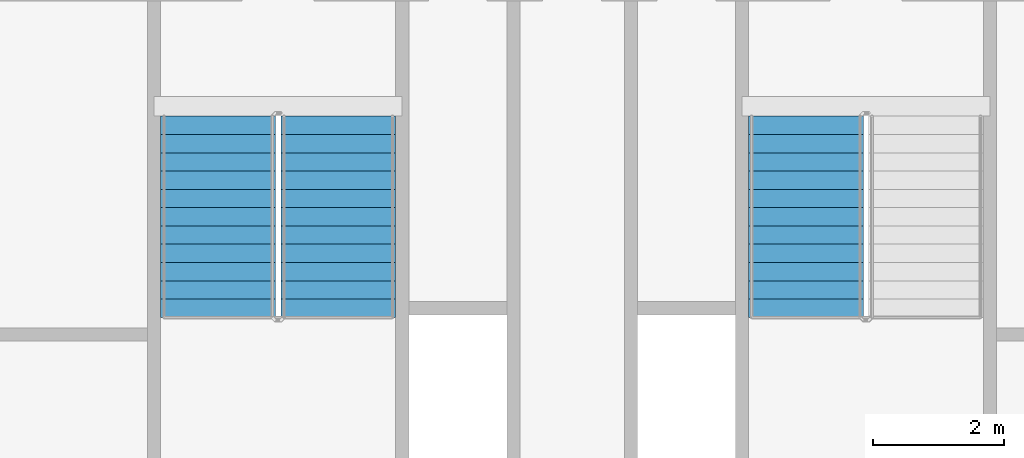
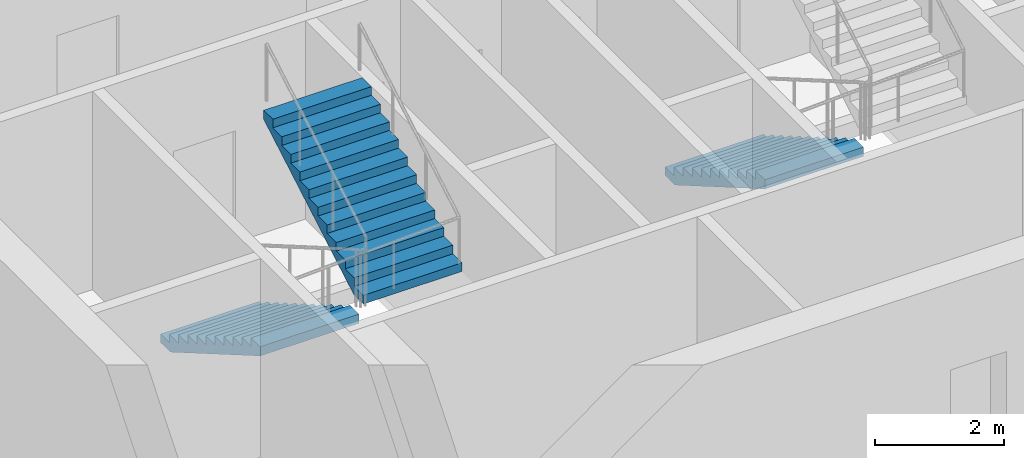
# One storey, part 15 of 22: 3 stair flights, 2 elements without a shape of their own.
"""IFC4 building model written with IfcOpenShell, lengths in metres."""

from ifc_helpers import new_model, si_unit, direction, frame, origin, place, context, subcontext, project, spatial, faceted_brep, material, type_object, element, aggregate, save


model = new_model("IFC4")

# Units and contexts
model_context = context("Model", 3, precision=1e-05, world=origin(), true_north=direction((0.0, 1.0)))
body_context = subcontext(model_context, "Body", "Model", "MODEL_VIEW")
ifc_project = project(units=[si_unit("LENGTHUNIT", "METRE"), si_unit("AREAUNIT", "SQUARE_METRE"), si_unit("VOLUMEUNIT", "CUBIC_METRE"), si_unit("PLANEANGLEUNIT", "RADIAN"), si_unit("MASSUNIT", "GRAM", prefix="KILO")], contexts=[model_context])

# Site, building, storey
site_placement = place(None, origin())
site = spatial("IfcSite", under=ifc_project, at=site_placement, CompositionType="ELEMENT")
building_placement = place(site_placement, origin())
building = spatial("IfcBuilding", under=site, at=building_placement, Name="Tarsis Ring Headquarters", CompositionType="ELEMENT")
storey_placement = place(building_placement, frame((0.0, 0.0, 263.0)))
storey = spatial("IfcBuildingStorey", under=building, at=storey_placement, Name="L61", CompositionType="ELEMENT", Elevation=263.0)

# Stair, stair flights
ifc_material_1 = material(Name="Core stair 1760")
stair_type = type_object("IfcStairType", Name="Core stair 1760", PredefinedType="HALF_TURN_STAIR", material=ifc_material_1)
stair_1_placement = place(storey_placement, origin())
stair_1 = element("IfcStair", 1, at=stair_1_placement, inside=storey, type_object=stair_type, Name="L61 Exit stair C", PredefinedType="HALF_TURN_STAIR")
ifc_material_2 = material(Name="Concrete C40/50", Category="concrete")
stair_flight_type = type_object("IfcStairFlightType", Name="Core stair flight 1760", PredefinedType="STRAIGHT", material=ifc_material_2)
stair_flight_1_placement = place(storey_placement, frame((-5.419921875, -3.659912109375, 0.0), z_axis=(0.0, 0.0, 1.0), x_axis=(0.0, -1.0, 0.0)))
stair_flight_1 = element("IfcStairFlight", 2, at=stair_flight_1_placement, type_object=stair_flight_type, Name="Stair ST3 flight 1", NumberOfRisers=12, NumberOfTreads=11, PredefinedType="STRAIGHT", RiserHeight=0.1625, TreadLength=0.28, context=body_context, shape_type="Brep", body=[
    faceted_brep([(0.0, 0.8798828125, 0.0), (0.0, 0.8798828125, 0.16259765625), (0.280029296875, 0.8798828125, 0.16259765625), (0.280029296875, 0.8798828125, 0.324951171875), (0.56005859375, 0.8798828125, 0.324951171875), (0.56005859375, 0.8798828125, 0.487548828125), (0.840087890625, 0.8798828125, 0.487548828125), (0.840087890625, 0.8798828125, 0.64990234375), (1.1201171875, 0.8798828125, 0.64990234375), (1.1201171875, 0.8798828125, 0.8125), (1.39990234375, 0.8798828125, 0.8125), (1.39990234375, 0.8798828125, 0.97509765625), (1.679931640625, 0.8798828125, 0.97509765625), (1.679931640625, 0.8798828125, 1.137451171875), (1.9599609375, 0.8798828125, 1.137451171875), (1.9599609375, 0.8798828125, 1.300048828125), (2.239990234375, 0.8798828125, 1.300048828125), (2.239990234375, 0.8798828125, 1.46240234375), (2.52001953125, 0.8798828125, 1.46240234375), (2.52001953125, 0.8798828125, 1.625), (2.800048828125, 0.8798828125, 1.625), (2.800048828125, 0.8798828125, 1.78759765625), (3.080078125, 0.8798828125, 1.78759765625), (3.080078125, 0.8798828125, 1.6142578125), (0.298583984375, 0.8798828125, 0.0), (0.298583984375, -0.8798828125, 0.0), (3.080078125, -0.8798828125, 1.6142578125), (3.080078125, -0.8798828125, 1.78759765625), (2.800048828125, -0.8798828125, 1.78759765625), (2.800048828125, -0.8798828125, 1.625), (2.52001953125, -0.8798828125, 1.625), (2.52001953125, -0.8798828125, 1.46240234375), (2.239990234375, -0.8798828125, 1.46240234375), (2.239990234375, -0.8798828125, 1.300048828125), (1.9599609375, -0.8798828125, 1.300048828125), (1.9599609375, -0.8798828125, 1.137451171875), (1.679931640625, -0.8798828125, 1.137451171875), (1.679931640625, -0.8798828125, 0.97509765625), (1.39990234375, -0.8798828125, 0.97509765625), (1.39990234375, -0.8798828125, 0.8125), (1.1201171875, -0.8798828125, 0.8125), (1.1201171875, -0.8798828125, 0.64990234375), (0.840087890625, -0.8798828125, 0.64990234375), (0.840087890625, -0.8798828125, 0.487548828125), (0.56005859375, -0.8798828125, 0.487548828125), (0.56005859375, -0.8798828125, 0.324951171875), (0.280029296875, -0.8798828125, 0.324951171875), (0.280029296875, -0.8798828125, 0.16259765625), (0.0, -0.8798828125, 0.16259765625), (0.0, -0.8798828125, 0.0), (0.0, -0.43994140625, 0.16259765625), (0.0, -0.43994140625, 0.0), (0.0, 0.0, 0.16259765625), (0.0, 0.0, 0.0), (0.0, 0.43994140625, 0.16259765625), (0.0, 0.43994140625, 0.0), (0.280029296875, -0.43994140625, 0.16259765625), (0.280029296875, 0.0, 0.16259765625), (0.280029296875, 0.43994140625, 0.16259765625), (0.280029296875, -0.43994140625, 0.324951171875), (0.280029296875, 0.0, 0.324951171875), (0.280029296875, 0.43994140625, 0.324951171875), (0.56005859375, -0.43994140625, 0.324951171875), (0.56005859375, 0.0, 0.324951171875), (0.56005859375, 0.43994140625, 0.324951171875), (0.56005859375, -0.43994140625, 0.487548828125), (0.56005859375, 0.0, 0.487548828125), (0.56005859375, 0.43994140625, 0.487548828125), (0.840087890625, -0.43994140625, 0.487548828125), (0.840087890625, 0.0, 0.487548828125), (0.840087890625, 0.43994140625, 0.487548828125), (0.840087890625, -0.43994140625, 0.64990234375), (0.840087890625, 0.0, 0.64990234375), (0.840087890625, 0.43994140625, 0.64990234375), (1.1201171875, -0.43994140625, 0.64990234375), (1.1201171875, 0.0, 0.64990234375), (1.1201171875, 0.43994140625, 0.64990234375), (1.1201171875, -0.43994140625, 0.8125), (1.1201171875, 0.0, 0.8125), (1.1201171875, 0.43994140625, 0.8125), (1.39990234375, -0.43994140625, 0.8125), (1.39990234375, 0.0, 0.8125), (1.39990234375, 0.43994140625, 0.8125), (1.39990234375, -0.43994140625, 0.97509765625), (1.39990234375, 0.0, 0.97509765625), (1.39990234375, 0.43994140625, 0.97509765625), (1.679931640625, -0.43994140625, 0.97509765625), (1.679931640625, 0.0, 0.97509765625), (1.679931640625, 0.43994140625, 0.97509765625), (1.679931640625, -0.43994140625, 1.137451171875), (1.679931640625, 0.0, 1.137451171875), (1.679931640625, 0.43994140625, 1.137451171875), (1.9599609375, -0.43994140625, 1.137451171875), (1.9599609375, 0.0, 1.137451171875), (1.9599609375, 0.43994140625, 1.137451171875), (1.9599609375, -0.43994140625, 1.300048828125), (1.9599609375, 0.0, 1.300048828125), (1.9599609375, 0.43994140625, 1.300048828125), (2.239990234375, -0.43994140625, 1.300048828125), (2.239990234375, 0.0, 1.300048828125), (2.239990234375, 0.43994140625, 1.300048828125), (2.239990234375, -0.43994140625, 1.46240234375), (2.239990234375, 0.0, 1.46240234375), (2.239990234375, 0.43994140625, 1.46240234375), (2.52001953125, -0.43994140625, 1.46240234375), (2.52001953125, 0.0, 1.46240234375), (2.52001953125, 0.43994140625, 1.46240234375), (2.52001953125, -0.43994140625, 1.625), (2.52001953125, 0.0, 1.625), (2.52001953125, 0.43994140625, 1.625), (2.800048828125, -0.43994140625, 1.625), (2.800048828125, 0.0, 1.625), (2.800048828125, 0.43994140625, 1.625), (2.800048828125, -0.43994140625, 1.78759765625), (2.800048828125, 0.0, 1.78759765625), (2.800048828125, 0.43994140625, 1.78759765625), (3.080078125, -0.43994140625, 1.78759765625), (3.080078125, 0.0, 1.78759765625), (3.080078125, 0.43994140625, 1.78759765625), (3.080078125, -0.43994140625, 1.6142578125), (3.080078125, 0.0, 1.6142578125), (3.080078125, 0.43994140625, 1.6142578125), (0.298583984375, -0.43994140625, 0.0), (0.298583984375, 0.0, 0.0), (0.298583984375, 0.43994140625, 0.0)], [[[0, 1, 2, 3, 4, 5, 6, 7, 8, 9, 10, 11, 12, 13, 14, 15, 16, 17, 18, 19, 20, 21, 22, 23, 24]], [[25, 26, 27, 28, 29, 30, 31, 32, 33, 34, 35, 36, 37, 38, 39, 40, 41, 42, 43, 44, 45, 46, 47, 48, 49]], [[49, 48, 50, 51]], [[51, 50, 52, 53]], [[53, 52, 54, 55]], [[55, 54, 1, 0]], [[48, 47, 56, 50]], [[50, 56, 57, 52]], [[52, 57, 58, 54]], [[54, 58, 2, 1]], [[47, 46, 59, 56]], [[56, 59, 60, 57]], [[57, 60, 61, 58]], [[58, 61, 3, 2]], [[46, 45, 62, 59]], [[59, 62, 63, 60]], [[60, 63, 64, 61]], [[61, 64, 4, 3]], [[45, 44, 65, 62]], [[62, 65, 66, 63]], [[63, 66, 67, 64]], [[64, 67, 5, 4]], [[44, 43, 68, 65]], [[65, 68, 69, 66]], [[66, 69, 70, 67]], [[67, 70, 6, 5]], [[43, 42, 71, 68]], [[68, 71, 72, 69]], [[69, 72, 73, 70]], [[70, 73, 7, 6]], [[42, 41, 74, 71]], [[71, 74, 75, 72]], [[72, 75, 76, 73]], [[73, 76, 8, 7]], [[41, 40, 77, 74]], [[74, 77, 78, 75]], [[75, 78, 79, 76]], [[76, 79, 9, 8]], [[40, 39, 80, 77]], [[77, 80, 81, 78]], [[78, 81, 82, 79]], [[79, 82, 10, 9]], [[39, 38, 83, 80]], [[80, 83, 84, 81]], [[81, 84, 85, 82]], [[82, 85, 11, 10]], [[38, 37, 86, 83]], [[83, 86, 87, 84]], [[84, 87, 88, 85]], [[85, 88, 12, 11]], [[37, 36, 89, 86]], [[86, 89, 90, 87]], [[87, 90, 91, 88]], [[88, 91, 13, 12]], [[36, 35, 92, 89]], [[89, 92, 93, 90]], [[90, 93, 94, 91]], [[91, 94, 14, 13]], [[35, 34, 95, 92]], [[92, 95, 96, 93]], [[93, 96, 97, 94]], [[94, 97, 15, 14]], [[34, 33, 98, 95]], [[95, 98, 99, 96]], [[96, 99, 100, 97]], [[97, 100, 16, 15]], [[33, 32, 101, 98]], [[98, 101, 102, 99]], [[99, 102, 103, 100]], [[100, 103, 17, 16]], [[32, 31, 104, 101]], [[101, 104, 105, 102]], [[102, 105, 106, 103]], [[103, 106, 18, 17]], [[31, 30, 107, 104]], [[104, 107, 108, 105]], [[105, 108, 109, 106]], [[106, 109, 19, 18]], [[30, 29, 110, 107]], [[107, 110, 111, 108]], [[108, 111, 112, 109]], [[109, 112, 20, 19]], [[29, 28, 113, 110]], [[110, 113, 114, 111]], [[111, 114, 115, 112]], [[112, 115, 21, 20]], [[28, 27, 116, 113]], [[113, 116, 117, 114]], [[114, 117, 118, 115]], [[115, 118, 22, 21]], [[27, 26, 119, 116]], [[116, 119, 120, 117]], [[117, 120, 121, 118]], [[118, 121, 23, 22]], [[26, 25, 122, 119]], [[119, 122, 123, 120]], [[120, 123, 124, 121]], [[121, 124, 24, 23]], [[25, 49, 51, 122]], [[122, 51, 53, 123]], [[123, 53, 55, 124]], [[124, 55, 0, 24]]]),
])
stair_flight_2_placement = place(storey_placement, frame((-3.580078125, -6.739990234375, 1.949951171875), z_axis=(0.0, 0.0, 1.0), x_axis=(0.0, 1.0, 0.0)))
stair_flight_2 = element("IfcStairFlight", 3, at=stair_flight_2_placement, type_object=stair_flight_type, Name="Stair ST3 flight 2", NumberOfRisers=12, NumberOfTreads=11, PredefinedType="STRAIGHT", RiserHeight=0.1625, TreadLength=0.28, context=body_context, shape_type="Brep", body=[
    faceted_brep([(0.0, 0.8798828125, 0.0), (0.0, 0.8798828125, 0.16259765625), (0.280029296875, 0.8798828125, 0.16259765625), (0.280029296875, 0.8798828125, 0.324951171875), (0.56005859375, 0.8798828125, 0.324951171875), (0.56005859375, 0.8798828125, 0.487548828125), (0.840087890625, 0.8798828125, 0.487548828125), (0.840087890625, 0.8798828125, 0.64990234375), (1.1201171875, 0.8798828125, 0.64990234375), (1.1201171875, 0.8798828125, 0.8125), (1.39990234375, 0.8798828125, 0.8125), (1.39990234375, 0.8798828125, 0.97509765625), (1.679931640625, 0.8798828125, 0.97509765625), (1.679931640625, 0.8798828125, 1.137451171875), (1.9599609375, 0.8798828125, 1.137451171875), (1.9599609375, 0.8798828125, 1.300048828125), (2.239990234375, 0.8798828125, 1.300048828125), (2.239990234375, 0.8798828125, 1.46240234375), (2.52001953125, 0.8798828125, 1.46240234375), (2.52001953125, 0.8798828125, 1.625), (2.800048828125, 0.8798828125, 1.625), (2.800048828125, 0.8798828125, 1.78759765625), (3.080078125, 0.8798828125, 1.78759765625), (3.080078125, 0.8798828125, 1.6142578125), (0.298583984375, 0.8798828125, 0.0), (0.298583984375, -0.8798828125, 0.0), (3.080078125, -0.8798828125, 1.6142578125), (3.080078125, -0.8798828125, 1.78759765625), (2.800048828125, -0.8798828125, 1.78759765625), (2.800048828125, -0.8798828125, 1.625), (2.52001953125, -0.8798828125, 1.625), (2.52001953125, -0.8798828125, 1.46240234375), (2.239990234375, -0.8798828125, 1.46240234375), (2.239990234375, -0.8798828125, 1.300048828125), (1.9599609375, -0.8798828125, 1.300048828125), (1.9599609375, -0.8798828125, 1.137451171875), (1.679931640625, -0.8798828125, 1.137451171875), (1.679931640625, -0.8798828125, 0.97509765625), (1.39990234375, -0.8798828125, 0.97509765625), (1.39990234375, -0.8798828125, 0.8125), (1.1201171875, -0.8798828125, 0.8125), (1.1201171875, -0.8798828125, 0.64990234375), (0.840087890625, -0.8798828125, 0.64990234375), (0.840087890625, -0.8798828125, 0.487548828125), (0.56005859375, -0.8798828125, 0.487548828125), (0.56005859375, -0.8798828125, 0.324951171875), (0.280029296875, -0.8798828125, 0.324951171875), (0.280029296875, -0.8798828125, 0.16259765625), (0.0, -0.8798828125, 0.16259765625), (0.0, -0.8798828125, 0.0), (0.0, -0.43994140625, 0.16259765625), (0.0, -0.43994140625, 0.0), (0.0, 0.0, 0.16259765625), (0.0, 0.0, 0.0), (0.0, 0.43994140625, 0.16259765625), (0.0, 0.43994140625, 0.0), (0.280029296875, -0.43994140625, 0.16259765625), (0.280029296875, 0.0, 0.16259765625), (0.280029296875, 0.43994140625, 0.16259765625), (0.280029296875, -0.43994140625, 0.324951171875), (0.280029296875, 0.0, 0.324951171875), (0.280029296875, 0.43994140625, 0.324951171875), (0.56005859375, -0.43994140625, 0.324951171875), (0.56005859375, 0.0, 0.324951171875), (0.56005859375, 0.43994140625, 0.324951171875), (0.56005859375, -0.43994140625, 0.487548828125), (0.56005859375, 0.0, 0.487548828125), (0.56005859375, 0.43994140625, 0.487548828125), (0.840087890625, -0.43994140625, 0.487548828125), (0.840087890625, 0.0, 0.487548828125), (0.840087890625, 0.43994140625, 0.487548828125), (0.840087890625, -0.43994140625, 0.64990234375), (0.840087890625, 0.0, 0.64990234375), (0.840087890625, 0.43994140625, 0.64990234375), (1.1201171875, -0.43994140625, 0.64990234375), (1.1201171875, 0.0, 0.64990234375), (1.1201171875, 0.43994140625, 0.64990234375), (1.1201171875, -0.43994140625, 0.8125), (1.1201171875, 0.0, 0.8125), (1.1201171875, 0.43994140625, 0.8125), (1.39990234375, -0.43994140625, 0.8125), (1.39990234375, 0.0, 0.8125), (1.39990234375, 0.43994140625, 0.8125), (1.39990234375, -0.43994140625, 0.97509765625), (1.39990234375, 0.0, 0.97509765625), (1.39990234375, 0.43994140625, 0.97509765625), (1.679931640625, -0.43994140625, 0.97509765625), (1.679931640625, 0.0, 0.97509765625), (1.679931640625, 0.43994140625, 0.97509765625), (1.679931640625, -0.43994140625, 1.137451171875), (1.679931640625, 0.0, 1.137451171875), (1.679931640625, 0.43994140625, 1.137451171875), (1.9599609375, -0.43994140625, 1.137451171875), (1.9599609375, 0.0, 1.137451171875), (1.9599609375, 0.43994140625, 1.137451171875), (1.9599609375, -0.43994140625, 1.300048828125), (1.9599609375, 0.0, 1.300048828125), (1.9599609375, 0.43994140625, 1.300048828125), (2.239990234375, -0.43994140625, 1.300048828125), (2.239990234375, 0.0, 1.300048828125), (2.239990234375, 0.43994140625, 1.300048828125), (2.239990234375, -0.43994140625, 1.46240234375), (2.239990234375, 0.0, 1.46240234375), (2.239990234375, 0.43994140625, 1.46240234375), (2.52001953125, -0.43994140625, 1.46240234375), (2.52001953125, 0.0, 1.46240234375), (2.52001953125, 0.43994140625, 1.46240234375), (2.52001953125, -0.43994140625, 1.625), (2.52001953125, 0.0, 1.625), (2.52001953125, 0.43994140625, 1.625), (2.800048828125, -0.43994140625, 1.625), (2.800048828125, 0.0, 1.625), (2.800048828125, 0.43994140625, 1.625), (2.800048828125, -0.43994140625, 1.78759765625), (2.800048828125, 0.0, 1.78759765625), (2.800048828125, 0.43994140625, 1.78759765625), (3.080078125, -0.43994140625, 1.78759765625), (3.080078125, 0.0, 1.78759765625), (3.080078125, 0.43994140625, 1.78759765625), (3.080078125, -0.43994140625, 1.6142578125), (3.080078125, 0.0, 1.6142578125), (3.080078125, 0.43994140625, 1.6142578125), (0.298583984375, -0.43994140625, 0.0), (0.298583984375, 0.0, 0.0), (0.298583984375, 0.43994140625, 0.0)], [[[0, 1, 2, 3, 4, 5, 6, 7, 8, 9, 10, 11, 12, 13, 14, 15, 16, 17, 18, 19, 20, 21, 22, 23, 24]], [[25, 26, 27, 28, 29, 30, 31, 32, 33, 34, 35, 36, 37, 38, 39, 40, 41, 42, 43, 44, 45, 46, 47, 48, 49]], [[49, 48, 50, 51]], [[51, 50, 52, 53]], [[53, 52, 54, 55]], [[55, 54, 1, 0]], [[48, 47, 56, 50]], [[50, 56, 57, 52]], [[52, 57, 58, 54]], [[54, 58, 2, 1]], [[47, 46, 59, 56]], [[56, 59, 60, 57]], [[57, 60, 61, 58]], [[58, 61, 3, 2]], [[46, 45, 62, 59]], [[59, 62, 63, 60]], [[60, 63, 64, 61]], [[61, 64, 4, 3]], [[45, 44, 65, 62]], [[62, 65, 66, 63]], [[63, 66, 67, 64]], [[64, 67, 5, 4]], [[44, 43, 68, 65]], [[65, 68, 69, 66]], [[66, 69, 70, 67]], [[67, 70, 6, 5]], [[43, 42, 71, 68]], [[68, 71, 72, 69]], [[69, 72, 73, 70]], [[70, 73, 7, 6]], [[42, 41, 74, 71]], [[71, 74, 75, 72]], [[72, 75, 76, 73]], [[73, 76, 8, 7]], [[41, 40, 77, 74]], [[74, 77, 78, 75]], [[75, 78, 79, 76]], [[76, 79, 9, 8]], [[40, 39, 80, 77]], [[77, 80, 81, 78]], [[78, 81, 82, 79]], [[79, 82, 10, 9]], [[39, 38, 83, 80]], [[80, 83, 84, 81]], [[81, 84, 85, 82]], [[82, 85, 11, 10]], [[38, 37, 86, 83]], [[83, 86, 87, 84]], [[84, 87, 88, 85]], [[85, 88, 12, 11]], [[37, 36, 89, 86]], [[86, 89, 90, 87]], [[87, 90, 91, 88]], [[88, 91, 13, 12]], [[36, 35, 92, 89]], [[89, 92, 93, 90]], [[90, 93, 94, 91]], [[91, 94, 14, 13]], [[35, 34, 95, 92]], [[92, 95, 96, 93]], [[93, 96, 97, 94]], [[94, 97, 15, 14]], [[34, 33, 98, 95]], [[95, 98, 99, 96]], [[96, 99, 100, 97]], [[97, 100, 16, 15]], [[33, 32, 101, 98]], [[98, 101, 102, 99]], [[99, 102, 103, 100]], [[100, 103, 17, 16]], [[32, 31, 104, 101]], [[101, 104, 105, 102]], [[102, 105, 106, 103]], [[103, 106, 18, 17]], [[31, 30, 107, 104]], [[104, 107, 108, 105]], [[105, 108, 109, 106]], [[106, 109, 19, 18]], [[30, 29, 110, 107]], [[107, 110, 111, 108]], [[108, 111, 112, 109]], [[109, 112, 20, 19]], [[29, 28, 113, 110]], [[110, 113, 114, 111]], [[111, 114, 115, 112]], [[112, 115, 21, 20]], [[28, 27, 116, 113]], [[113, 116, 117, 114]], [[114, 117, 118, 115]], [[115, 118, 22, 21]], [[27, 26, 119, 116]], [[116, 119, 120, 117]], [[117, 120, 121, 118]], [[118, 121, 23, 22]], [[26, 25, 122, 119]], [[119, 122, 123, 120]], [[120, 123, 124, 121]], [[121, 124, 24, 23]], [[25, 49, 51, 122]], [[122, 51, 53, 123]], [[123, 53, 55, 124]], [[124, 55, 0, 24]]]),
])
aggregate(stair_1, [stair_flight_1, stair_flight_2])

# Stair, stair flight
stair_2_placement = place(storey_placement, origin())
stair_2 = element("IfcStair", 4, at=stair_2_placement, inside=storey, type_object=stair_type, Name="L61 Exit stair D", PredefinedType="HALF_TURN_STAIR")
stair_flight_3_placement = place(storey_placement, frame((3.580078125, -3.659912109375, 0.0), z_axis=(0.0, 0.0, 1.0), x_axis=(0.0, -1.0, 0.0)))
stair_flight_3 = element("IfcStairFlight", 5, at=stair_flight_3_placement, type_object=stair_flight_type, Name="Stair ST4 flight 1", NumberOfRisers=12, NumberOfTreads=11, PredefinedType="STRAIGHT", RiserHeight=0.1625, TreadLength=0.28, context=body_context, shape_type="Brep", body=[
    faceted_brep([(0.0, 0.8798828125, 0.0), (0.0, 0.8798828125, 0.16259765625), (0.280029296875, 0.8798828125, 0.16259765625), (0.280029296875, 0.8798828125, 0.324951171875), (0.56005859375, 0.8798828125, 0.324951171875), (0.56005859375, 0.8798828125, 0.487548828125), (0.840087890625, 0.8798828125, 0.487548828125), (0.840087890625, 0.8798828125, 0.64990234375), (1.1201171875, 0.8798828125, 0.64990234375), (1.1201171875, 0.8798828125, 0.8125), (1.39990234375, 0.8798828125, 0.8125), (1.39990234375, 0.8798828125, 0.97509765625), (1.679931640625, 0.8798828125, 0.97509765625), (1.679931640625, 0.8798828125, 1.137451171875), (1.9599609375, 0.8798828125, 1.137451171875), (1.9599609375, 0.8798828125, 1.300048828125), (2.239990234375, 0.8798828125, 1.300048828125), (2.239990234375, 0.8798828125, 1.46240234375), (2.52001953125, 0.8798828125, 1.46240234375), (2.52001953125, 0.8798828125, 1.625), (2.800048828125, 0.8798828125, 1.625), (2.800048828125, 0.8798828125, 1.78759765625), (3.080078125, 0.8798828125, 1.78759765625), (3.080078125, 0.8798828125, 1.6142578125), (0.298583984375, 0.8798828125, 0.0), (0.298583984375, -0.8798828125, 0.0), (3.080078125, -0.8798828125, 1.6142578125), (3.080078125, -0.8798828125, 1.78759765625), (2.800048828125, -0.8798828125, 1.78759765625), (2.800048828125, -0.8798828125, 1.625), (2.52001953125, -0.8798828125, 1.625), (2.52001953125, -0.8798828125, 1.46240234375), (2.239990234375, -0.8798828125, 1.46240234375), (2.239990234375, -0.8798828125, 1.300048828125), (1.9599609375, -0.8798828125, 1.300048828125), (1.9599609375, -0.8798828125, 1.137451171875), (1.679931640625, -0.8798828125, 1.137451171875), (1.679931640625, -0.8798828125, 0.97509765625), (1.39990234375, -0.8798828125, 0.97509765625), (1.39990234375, -0.8798828125, 0.8125), (1.1201171875, -0.8798828125, 0.8125), (1.1201171875, -0.8798828125, 0.64990234375), (0.840087890625, -0.8798828125, 0.64990234375), (0.840087890625, -0.8798828125, 0.487548828125), (0.56005859375, -0.8798828125, 0.487548828125), (0.56005859375, -0.8798828125, 0.324951171875), (0.280029296875, -0.8798828125, 0.324951171875), (0.280029296875, -0.8798828125, 0.16259765625), (0.0, -0.8798828125, 0.16259765625), (0.0, -0.8798828125, 0.0), (0.0, -0.43994140625, 0.16259765625), (0.0, -0.43994140625, 0.0), (0.0, 0.0, 0.16259765625), (0.0, 0.0, 0.0), (0.0, 0.43994140625, 0.16259765625), (0.0, 0.43994140625, 0.0), (0.280029296875, -0.43994140625, 0.16259765625), (0.280029296875, 0.0, 0.16259765625), (0.280029296875, 0.43994140625, 0.16259765625), (0.280029296875, -0.43994140625, 0.324951171875), (0.280029296875, 0.0, 0.324951171875), (0.280029296875, 0.43994140625, 0.324951171875), (0.56005859375, -0.43994140625, 0.324951171875), (0.56005859375, 0.0, 0.324951171875), (0.56005859375, 0.43994140625, 0.324951171875), (0.56005859375, -0.43994140625, 0.487548828125), (0.56005859375, 0.0, 0.487548828125), (0.56005859375, 0.43994140625, 0.487548828125), (0.840087890625, -0.43994140625, 0.487548828125), (0.840087890625, 0.0, 0.487548828125), (0.840087890625, 0.43994140625, 0.487548828125), (0.840087890625, -0.43994140625, 0.64990234375), (0.840087890625, 0.0, 0.64990234375), (0.840087890625, 0.43994140625, 0.64990234375), (1.1201171875, -0.43994140625, 0.64990234375), (1.1201171875, 0.0, 0.64990234375), (1.1201171875, 0.43994140625, 0.64990234375), (1.1201171875, -0.43994140625, 0.8125), (1.1201171875, 0.0, 0.8125), (1.1201171875, 0.43994140625, 0.8125), (1.39990234375, -0.43994140625, 0.8125), (1.39990234375, 0.0, 0.8125), (1.39990234375, 0.43994140625, 0.8125), (1.39990234375, -0.43994140625, 0.97509765625), (1.39990234375, 0.0, 0.97509765625), (1.39990234375, 0.43994140625, 0.97509765625), (1.679931640625, -0.43994140625, 0.97509765625), (1.679931640625, 0.0, 0.97509765625), (1.679931640625, 0.43994140625, 0.97509765625), (1.679931640625, -0.43994140625, 1.137451171875), (1.679931640625, 0.0, 1.137451171875), (1.679931640625, 0.43994140625, 1.137451171875), (1.9599609375, -0.43994140625, 1.137451171875), (1.9599609375, 0.0, 1.137451171875), (1.9599609375, 0.43994140625, 1.137451171875), (1.9599609375, -0.43994140625, 1.300048828125), (1.9599609375, 0.0, 1.300048828125), (1.9599609375, 0.43994140625, 1.300048828125), (2.239990234375, -0.43994140625, 1.300048828125), (2.239990234375, 0.0, 1.300048828125), (2.239990234375, 0.43994140625, 1.300048828125), (2.239990234375, -0.43994140625, 1.46240234375), (2.239990234375, 0.0, 1.46240234375), (2.239990234375, 0.43994140625, 1.46240234375), (2.52001953125, -0.43994140625, 1.46240234375), (2.52001953125, 0.0, 1.46240234375), (2.52001953125, 0.43994140625, 1.46240234375), (2.52001953125, -0.43994140625, 1.625), (2.52001953125, 0.0, 1.625), (2.52001953125, 0.43994140625, 1.625), (2.800048828125, -0.43994140625, 1.625), (2.800048828125, 0.0, 1.625), (2.800048828125, 0.43994140625, 1.625), (2.800048828125, -0.43994140625, 1.78759765625), (2.800048828125, 0.0, 1.78759765625), (2.800048828125, 0.43994140625, 1.78759765625), (3.080078125, -0.43994140625, 1.78759765625), (3.080078125, 0.0, 1.78759765625), (3.080078125, 0.43994140625, 1.78759765625), (3.080078125, -0.43994140625, 1.6142578125), (3.080078125, 0.0, 1.6142578125), (3.080078125, 0.43994140625, 1.6142578125), (0.298583984375, -0.43994140625, 0.0), (0.298583984375, 0.0, 0.0), (0.298583984375, 0.43994140625, 0.0)], [[[0, 1, 2, 3, 4, 5, 6, 7, 8, 9, 10, 11, 12, 13, 14, 15, 16, 17, 18, 19, 20, 21, 22, 23, 24]], [[25, 26, 27, 28, 29, 30, 31, 32, 33, 34, 35, 36, 37, 38, 39, 40, 41, 42, 43, 44, 45, 46, 47, 48, 49]], [[49, 48, 50, 51]], [[51, 50, 52, 53]], [[53, 52, 54, 55]], [[55, 54, 1, 0]], [[48, 47, 56, 50]], [[50, 56, 57, 52]], [[52, 57, 58, 54]], [[54, 58, 2, 1]], [[47, 46, 59, 56]], [[56, 59, 60, 57]], [[57, 60, 61, 58]], [[58, 61, 3, 2]], [[46, 45, 62, 59]], [[59, 62, 63, 60]], [[60, 63, 64, 61]], [[61, 64, 4, 3]], [[45, 44, 65, 62]], [[62, 65, 66, 63]], [[63, 66, 67, 64]], [[64, 67, 5, 4]], [[44, 43, 68, 65]], [[65, 68, 69, 66]], [[66, 69, 70, 67]], [[67, 70, 6, 5]], [[43, 42, 71, 68]], [[68, 71, 72, 69]], [[69, 72, 73, 70]], [[70, 73, 7, 6]], [[42, 41, 74, 71]], [[71, 74, 75, 72]], [[72, 75, 76, 73]], [[73, 76, 8, 7]], [[41, 40, 77, 74]], [[74, 77, 78, 75]], [[75, 78, 79, 76]], [[76, 79, 9, 8]], [[40, 39, 80, 77]], [[77, 80, 81, 78]], [[78, 81, 82, 79]], [[79, 82, 10, 9]], [[39, 38, 83, 80]], [[80, 83, 84, 81]], [[81, 84, 85, 82]], [[82, 85, 11, 10]], [[38, 37, 86, 83]], [[83, 86, 87, 84]], [[84, 87, 88, 85]], [[85, 88, 12, 11]], [[37, 36, 89, 86]], [[86, 89, 90, 87]], [[87, 90, 91, 88]], [[88, 91, 13, 12]], [[36, 35, 92, 89]], [[89, 92, 93, 90]], [[90, 93, 94, 91]], [[91, 94, 14, 13]], [[35, 34, 95, 92]], [[92, 95, 96, 93]], [[93, 96, 97, 94]], [[94, 97, 15, 14]], [[34, 33, 98, 95]], [[95, 98, 99, 96]], [[96, 99, 100, 97]], [[97, 100, 16, 15]], [[33, 32, 101, 98]], [[98, 101, 102, 99]], [[99, 102, 103, 100]], [[100, 103, 17, 16]], [[32, 31, 104, 101]], [[101, 104, 105, 102]], [[102, 105, 106, 103]], [[103, 106, 18, 17]], [[31, 30, 107, 104]], [[104, 107, 108, 105]], [[105, 108, 109, 106]], [[106, 109, 19, 18]], [[30, 29, 110, 107]], [[107, 110, 111, 108]], [[108, 111, 112, 109]], [[109, 112, 20, 19]], [[29, 28, 113, 110]], [[110, 113, 114, 111]], [[111, 114, 115, 112]], [[112, 115, 21, 20]], [[28, 27, 116, 113]], [[113, 116, 117, 114]], [[114, 117, 118, 115]], [[115, 118, 22, 21]], [[27, 26, 119, 116]], [[116, 119, 120, 117]], [[117, 120, 121, 118]], [[118, 121, 23, 22]], [[26, 25, 122, 119]], [[119, 122, 123, 120]], [[120, 123, 124, 121]], [[121, 124, 24, 23]], [[25, 49, 51, 122]], [[122, 51, 53, 123]], [[123, 53, 55, 124]], [[124, 55, 0, 24]]]),
])
aggregate(stair_2, [stair_flight_3])

save(model, "model.ifc")
